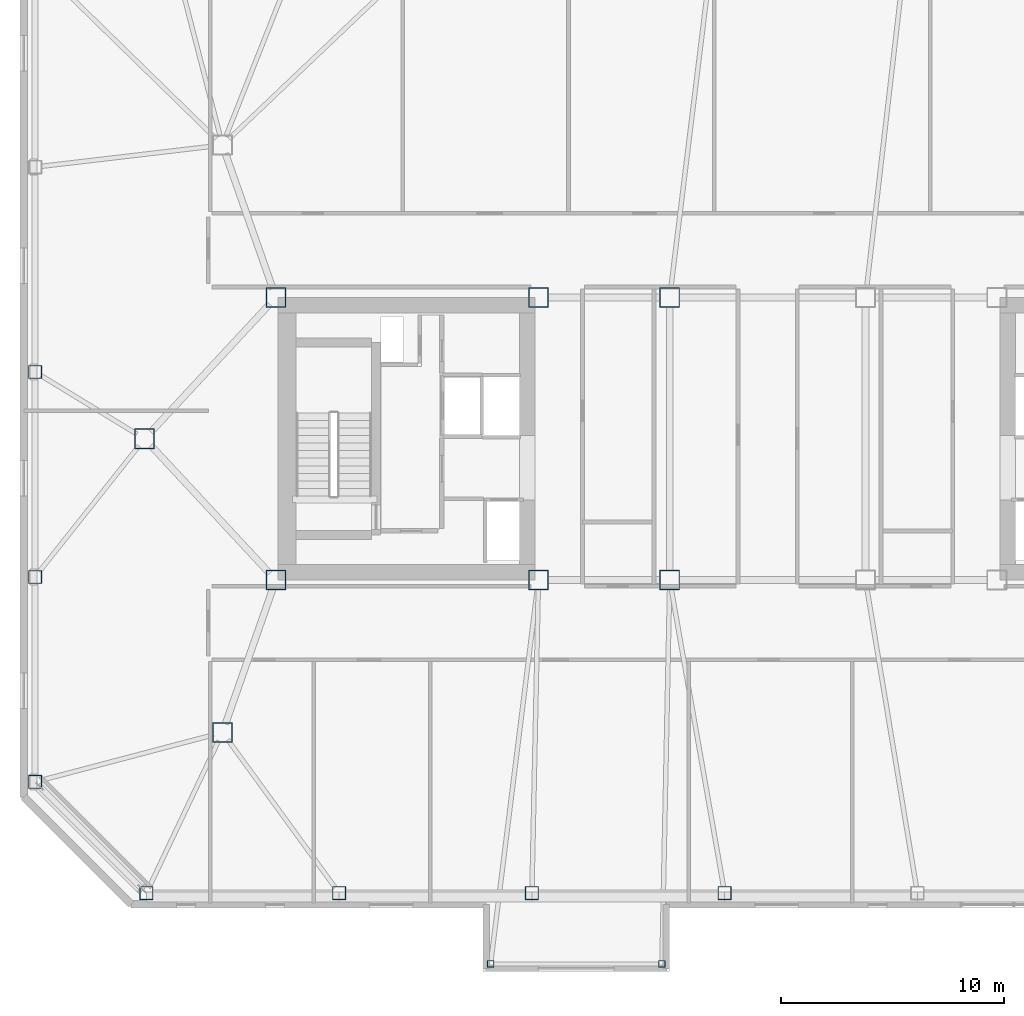
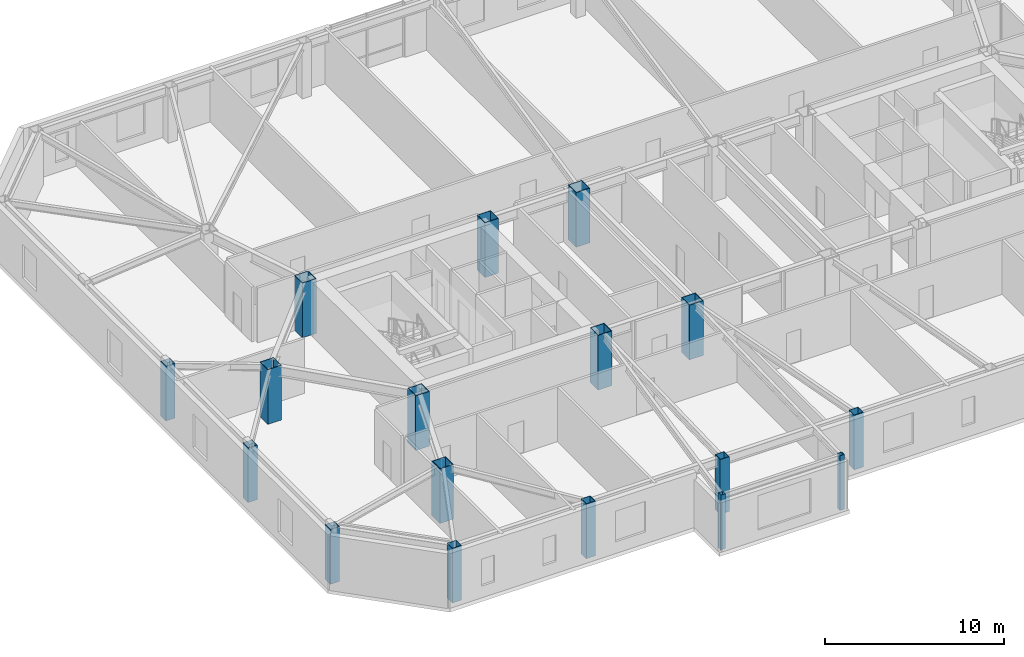
# One storey, part 1 of 16: 17 columns.
"""IFC4 building model written with IfcOpenShell, lengths in metres."""

import ifcopenshell
import ifcopenshell.guid

model = None  # the IFC model being written
_history = None  # IfcOwnerHistory: only IFC2X3 demands one
_inside = {}  # id of a spatial element -> (the spatial element, [elements in it])
_under = {}  # id of a project, library or spatial element -> (it, [spatial elements below it])
_declared = {}  # id of a project -> (the project, [libraries it declares])
_typed = {}  # id of a type object -> (the type object, [elements of that type])
_made_of = {}  # id of a material, layer set ... -> (it, [elements and type objects made of it])


def new_model(schema):
    """Start an empty IFC model of exactly this schema.

    Asked for "IFC4X3", IfcOpenShell would pick the latest addendum, in which some entities
    have other attributes; the version numbers below select the first issue.
    IFC2X3 requires an IfcOwnerHistory on every rooted entity: one is made here for all.
    """
    global model, _history
    if schema == "IFC4X3":
        model = ifcopenshell.file(schema_version=(4, 3, 0, 0))
    else:
        model = ifcopenshell.file(schema=schema)
    _inside.clear()
    _under.clear()
    _declared.clear()
    _typed.clear()
    _made_of.clear()
    _history = None
    if model.schema == "IFC2X3":
        org = make("IfcOrganization", Name="unknown")
        user = make(
            "IfcPersonAndOrganization",
            ThePerson=make("IfcPerson", FamilyName="unknown"),
            TheOrganization=org,
        )
        app = make(
            "IfcApplication",
            ApplicationDeveloper=org,
            Version="unknown",
            ApplicationFullName="unknown",
            ApplicationIdentifier="unknown",
        )
        _history = make(
            "IfcOwnerHistory",
            OwningUser=user,
            OwningApplication=app,
            ChangeAction="ADDED",
            CreationDate=0,
        )
    return model


def make(cls, **values):
    """One entity of the class cls with the attributes given. An attribute that is None is left unset."""
    return model.create_entity(
        cls, **{name: value for name, value in values.items() if value is not None}
    )


def rooted(cls, **values):
    """An entity with a GlobalId (a new one), such as an element, a storey or a relation."""
    return make(cls, GlobalId=ifcopenshell.guid.new(), OwnerHistory=_history, **values)


def si_unit(unit_type, name, prefix=None):
    """IfcSIUnit, for example si_unit("LENGTHUNIT", "METRE", prefix="MILLI")."""
    return make("IfcSIUnit", UnitType=unit_type, Prefix=prefix, Name=name)


def assignment(units):
    """IfcUnitAssignment: the units of a project."""
    return None if units is None else make("IfcUnitAssignment", Units=units)


def point(xyz):
    """IfcCartesianPoint."""
    return None if xyz is None else make("IfcCartesianPoint", Coordinates=xyz)


def direction(xyz):
    """IfcDirection."""
    return None if xyz is None else make("IfcDirection", DirectionRatios=xyz)


def frame(location, z_axis=None, x_axis=None):
    """IfcAxis2Placement3D, a coordinate frame: its origin and axes. An axis left out is left unset."""
    return make(
        "IfcAxis2Placement3D",
        Location=point(location),
        Axis=direction(z_axis),
        RefDirection=direction(x_axis),
    )


def frame_2d(location, x_axis=None):
    """IfcAxis2Placement2D, a coordinate frame in the plane: its origin and x axis."""
    return make(
        "IfcAxis2Placement2D", Location=point(location), RefDirection=direction(x_axis)
    )


def origin():
    """The frame at (0, 0, 0) with its axes left unset."""
    return frame((0.0, 0.0, 0.0))


def origin_2d():
    """The frame at (0, 0) in the plane with its x axis left unset."""
    return frame_2d((0.0, 0.0))


def place(relative_to, where):
    """IfcLocalPlacement: puts the frame where relative to a parent placement (None: the world)."""
    return make(
        "IfcLocalPlacement", PlacementRelTo=relative_to, RelativePlacement=where
    )


def context(
    kind, dimensions, precision=None, world=None, true_north=None, identifier=None
):
    """IfcGeometricRepresentationContext, for example the 3D "Model" context."""
    return make(
        "IfcGeometricRepresentationContext",
        ContextIdentifier=identifier,
        ContextType=kind,
        CoordinateSpaceDimension=dimensions,
        Precision=precision,
        WorldCoordinateSystem=world,
        TrueNorth=true_north,
    )


def subcontext(parent, identifier, kind, view, scale=None):
    """IfcGeometricRepresentationSubContext, for example "Body" below "Model"."""
    return make(
        "IfcGeometricRepresentationSubContext",
        ContextIdentifier=identifier,
        ContextType=kind,
        ParentContext=parent,
        TargetScale=scale,
        TargetView=view,
    )


def project(units=None, contexts=None):
    """IfcProject with its units and contexts."""
    return rooted(
        "IfcProject",
        Name="project",
        RepresentationContexts=contexts,
        UnitsInContext=assignment(units),
    )


def spatial(cls, under=None, at=None, **own):
    """A site, building, storey or space (cls), placed at a placement, below another one or the project."""
    s = rooted(cls, ObjectPlacement=at, **own)
    if under is not None:
        _under.setdefault(under.id(), (under, []))[1].append(s)
    return s


def profile(cls, at=None, kind="AREA", **sizes):
    """A parametric profile (cls). Its sizes go by their IFC names, for example OverallWidth=200.0."""
    return make(cls, ProfileType=kind, Position=at, **sizes)


def hollow_rectangle(**sizes):
    """IfcRectangleHollowProfileDef."""
    return profile("IfcRectangleHollowProfileDef", **sizes)


def extrude(swept, where, along, depth):
    """IfcExtrudedAreaSolid: the profile swept, set in the frame where, extruded along a direction by depth."""
    return make(
        "IfcExtrudedAreaSolid",
        SweptArea=swept,
        Position=where,
        ExtrudedDirection=direction(along),
        Depth=depth,
    )


def shape(context_of_items, identifier, shape_type, items):
    """IfcShapeRepresentation: the items that make up one representation, for example the "Body"."""
    return make(
        "IfcShapeRepresentation",
        ContextOfItems=context_of_items,
        RepresentationIdentifier=identifier,
        RepresentationType=shape_type,
        Items=items,
    )


def material(Name=None, Category=None):
    """IfcMaterial."""
    return make("IfcMaterial", Name=Name, Category=Category)


def material_profile(
    of_material, cross_section, Name=None, Category=None, Priority=None
):
    """IfcMaterialProfile: a cross section and its material."""
    return make(
        "IfcMaterialProfile",
        Name=Name,
        Material=of_material,
        Profile=cross_section,
        Priority=Priority,
        Category=Category,
    )


def profile_set(profiles, Name=None, composite=None):
    """IfcMaterialProfileSet."""
    return make(
        "IfcMaterialProfileSet",
        Name=Name,
        MaterialProfiles=profiles,
        CompositeProfile=composite,
    )


def made_of(thing, what):
    """Note that an element or type object is made of a material, layer set ...; save() writes the relation."""
    if what is not None:
        _made_of.setdefault(what.id(), (what, []))[1].append(thing)
    return thing


def type_object(cls, material=None, **own):
    """A type object (cls), such as IfcWallType, which elements share."""
    return made_of(rooted(cls, **own), material)


def element(
    cls,
    number,
    at=None,
    inside=None,
    cuts=None,
    type_object=None,
    material=None,
    context=None,
    identifier="Body",
    shape_type=None,
    held_by="IfcProductDefinitionShape",
    body=None,
    shapes=None,
    **own,
):
    """One element of the class cls, such as IfcWall. Its Tag is "e" and its number.

    at: its placement. inside: the storey or other place that contains it. cuts: it is an
    opening in that element (IfcRelVoidsElement). A single representation is given by context,
    identifier, shape_type and body (its items); several are given by shapes. held_by: the class
    of the entity that holds the representations. save() writes the other relations.
    """
    e = rooted(cls, Tag="e%d" % number, ObjectPlacement=at, **own)
    if body is not None:
        shapes = [shape(context, identifier, shape_type, body)]
    if shapes is not None:
        e.Representation = make(held_by, Representations=shapes)
    if inside is not None:
        _inside.setdefault(inside.id(), (inside, []))[1].append(e)
    if cuts is not None:
        rooted(
            "IfcRelVoidsElement", RelatingBuildingElement=cuts, RelatedOpeningElement=e
        )
    if type_object is not None:
        _typed.setdefault(type_object.id(), (type_object, []))[1].append(e)
    return made_of(e, material)


def aggregate(whole, parts):
    """IfcRelAggregates: a whole, such as a stair, and the parts it consists of."""
    return rooted("IfcRelAggregates", RelatingObject=whole, RelatedObjects=parts)


def save(model, path):
    """Write the relations noted so far, then the file.

    IfcRelAggregates (storeys below a building ...), IfcRelContainedInSpatialStructure (elements
    in a storey), IfcRelDefinesByType, IfcRelAssociatesMaterial and IfcRelDeclares: one each for
    every whole, place, type object, material and project.
    """
    for whole, parts in _under.values():
        aggregate(whole, parts)
    for where, things in _inside.values():
        rooted(
            "IfcRelContainedInSpatialStructure",
            RelatedElements=things,
            RelatingStructure=where,
        )
    for kind, things in _typed.values():
        rooted("IfcRelDefinesByType", RelatedObjects=things, RelatingType=kind)
    for what, things in _made_of.values():
        rooted("IfcRelAssociatesMaterial", RelatedObjects=things, RelatingMaterial=what)
    for by, libraries in _declared.values():
        rooted("IfcRelDeclares", RelatingContext=by, RelatedDefinitions=libraries)
    model.write(path)


model = new_model("IFC4")

# Units and contexts
model_context = context("Model", 3, precision=1e-05, world=origin(), true_north=direction((0.0, 1.0)))
body_context = subcontext(model_context, "Body", "Model", "MODEL_VIEW")
ifc_project = project(units=[si_unit("LENGTHUNIT", "METRE"), si_unit("AREAUNIT", "SQUARE_METRE"), si_unit("VOLUMEUNIT", "CUBIC_METRE"), si_unit("PLANEANGLEUNIT", "RADIAN"), si_unit("MASSUNIT", "GRAM", prefix="KILO")], contexts=[model_context])

# Site, building, storey
site_placement = place(None, origin())
site = spatial("IfcSite", under=ifc_project, at=site_placement, CompositionType="ELEMENT")
building_placement = place(site_placement, origin())
building = spatial("IfcBuilding", under=site, at=building_placement, Name="Tavrogorsk Clinical Tower", CompositionType="ELEMENT")
storey_placement = place(building_placement, frame((0.0, 0.0, 164.199951171875)))
storey = spatial("IfcBuildingStorey", under=building, at=storey_placement, Name="L37", CompositionType="ELEMENT", Elevation=164.199951171875)

# Columns
ifc_material_1 = material(Name="Structural steel S390", Category="steel")
ifc_material_profile_1 = material_profile(ifc_material_1, hollow_rectangle(XDim=0.300048828125, YDim=0.300048828125, WallThickness=0.01611328125, at=origin_2d()), Name="SHS-300x300x16")
ifc_profile_set_1 = profile_set([ifc_material_profile_1], Name="Structural steel S390")
column_type_1 = type_object("IfcColumnType", Name="DayroomCol_SHS300", PredefinedType="COLUMN", material=ifc_profile_set_1)
for number, where, z_axis, x_axis, name in (
    (1, (-12.449951171875, -23.60009765625, 0.0), (0.0, 0.0, 1.0), (1.0, 0.0, 0.0), "L37 Day-Room Box Column DRB-05-L"),
    (2, (-4.75, -23.60009765625, 0.0), (0.0, 0.0, 1.0), (1.0, 0.0, 0.0), "L37 Day-Room Box Column DRB-05-R"),
):
    element("IfcColumn", number, at=place(storey_placement, frame(where, z_axis=z_axis, x_axis=x_axis)), inside=storey, type_object=column_type_1, Name=name, PredefinedType="COLUMN", context=body_context, shape_type="SweptSolid", body=[
        extrude(hollow_rectangle(XDim=0.300048828125, YDim=0.300048828125, WallThickness=0.01611328125, at=origin_2d()), origin(), (0.0, 0.0, 1.0), 3.739990234375),
    ])
ifc_material_2 = material(Name="Structural steel S440", Category="steel")
ifc_material_profile_2 = material_profile(ifc_material_2, hollow_rectangle(XDim=0.89990234375, YDim=0.89990234375, WallThickness=0.0400390625, at=origin_2d()), Name="BOX-900x900x40")
ifc_profile_set_2 = profile_set([ifc_material_profile_2], Name="Structural steel S440")
column_type_2 = type_object("IfcColumnType", Name="MegaCol_BOX900", PredefinedType="COLUMN", material=ifc_profile_set_2)
for number, where, z_axis, x_axis, name in (
    (3, (-22.10009765625, -6.35009765625, 0.0), (0.0, 0.0, 1.0), (1.0, 0.0, 0.0), "L37 Mega Column MC-W1"),
    (4, (-22.10009765625, 6.35009765625, 0.0), (0.0, 0.0, 1.0), (1.0, 0.0, 0.0), "L37 Mega Column MC-W2"),
    (5, (-10.300048828125, -6.35009765625, 0.0), (0.0, 0.0, 1.0), (1.0, 0.0, 0.0), "L37 Mega Column MC-W3"),
    (6, (-10.300048828125, 6.35009765625, 0.0), (0.0, 0.0, 1.0), (1.0, 0.0, 0.0), "L37 Mega Column MC-W4"),
    (7, (-4.39990234375, -6.35009765625, 0.0), (0.0, 0.0, 1.0), (1.0, 0.0, 0.0), "L37 Mega Column MC-C1"),
    (8, (-4.39990234375, 6.35009765625, 0.0), (0.0, 0.0, 1.0), (1.0, 0.0, 0.0), "L37 Mega Column MC-C3"),
    (9, (-24.5, -13.199951171875, 0.0), (0.0, 0.0, 1.0), (1.0, 0.0, 0.0), "L37 Spine Pilotis Column MC-P1"),
    (10, (-28.0, 0.0, 0.0), (0.0, 0.0, 1.0), (1.0, 0.0, 0.0), "L37 Spine Pilotis Column MC-P5"),
):
    element("IfcColumn", number, at=place(storey_placement, frame(where, z_axis=z_axis, x_axis=x_axis)), inside=storey, type_object=column_type_2, Name=name, PredefinedType="COLUMN", context=body_context, shape_type="SweptSolid", body=[
        extrude(hollow_rectangle(XDim=0.89990234375, YDim=0.89990234375, WallThickness=0.0400390625, at=origin_2d()), origin(), (0.0, 0.0, 1.0), 3.739990234375),
    ])
ifc_material_3 = material(Name="Structural steel S440", Category="steel")
ifc_material_profile_3 = material_profile(ifc_material_3, hollow_rectangle(XDim=0.60009765625, YDim=0.60009765625, WallThickness=0.028076171875, at=origin_2d()), Name="BOX-600x600x28")
ifc_profile_set_3 = profile_set([ifc_material_profile_3], Name="Structural steel S440")
column_type_3 = type_object("IfcColumnType", Name="PerimCol_B3_BOX600", PredefinedType="COLUMN", material=ifc_profile_set_3)
for number, where, z_axis, x_axis, name in (
    (11, (-27.919921875, -20.419921875, 0.0), (0.0, 0.0, 1.0), (1.0, 0.0, 0.0), "L37 Perimeter Column S1"),
    (12, (-19.257080078125, -20.419921875, 0.0), (0.0, 0.0, 1.0), (1.0, 0.0, 0.0), "L37 Perimeter Column S2"),
    (13, (-10.59423828125, -20.419921875, 0.0), (0.0, 0.0, 1.0), (1.0, 0.0, 0.0), "L37 Perimeter Column S3"),
    (14, (-1.931396484375, -20.419921875, 0.0), (0.0, 0.0, 1.0), (1.0, 0.0, 0.0), "L37 Perimeter Column S4"),
    (15, (-32.919921875, 3.0, 0.0), (0.0, 0.0, 1.0), (1.0, 0.0, 0.0), "L37 Perimeter Column W3"),
    (16, (-32.919921875, -6.2099609375, 0.0), (0.0, 0.0, 1.0), (1.0, 0.0, 0.0), "L37 Perimeter Column W4"),
    (17, (-32.919921875, -15.419921875, 0.0), (0.0, 0.0, 1.0), (1.0, 0.0, 0.0), "L37 Perimeter Column W5"),
):
    element("IfcColumn", number, at=place(storey_placement, frame(where, z_axis=z_axis, x_axis=x_axis)), inside=storey, type_object=column_type_3, Name=name, PredefinedType="COLUMN", context=body_context, shape_type="SweptSolid", body=[
        extrude(hollow_rectangle(XDim=0.60009765625, YDim=0.60009765625, WallThickness=0.028076171875, at=origin_2d()), origin(), (0.0, 0.0, 1.0), 3.739990234375),
    ])

save(model, "model.ifc")
